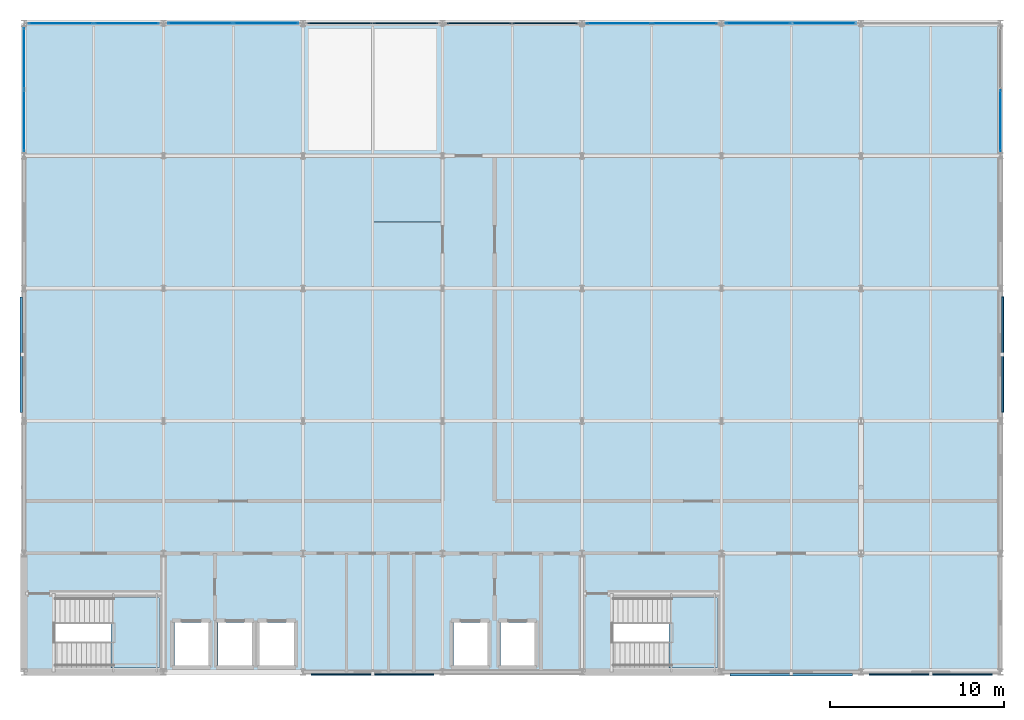
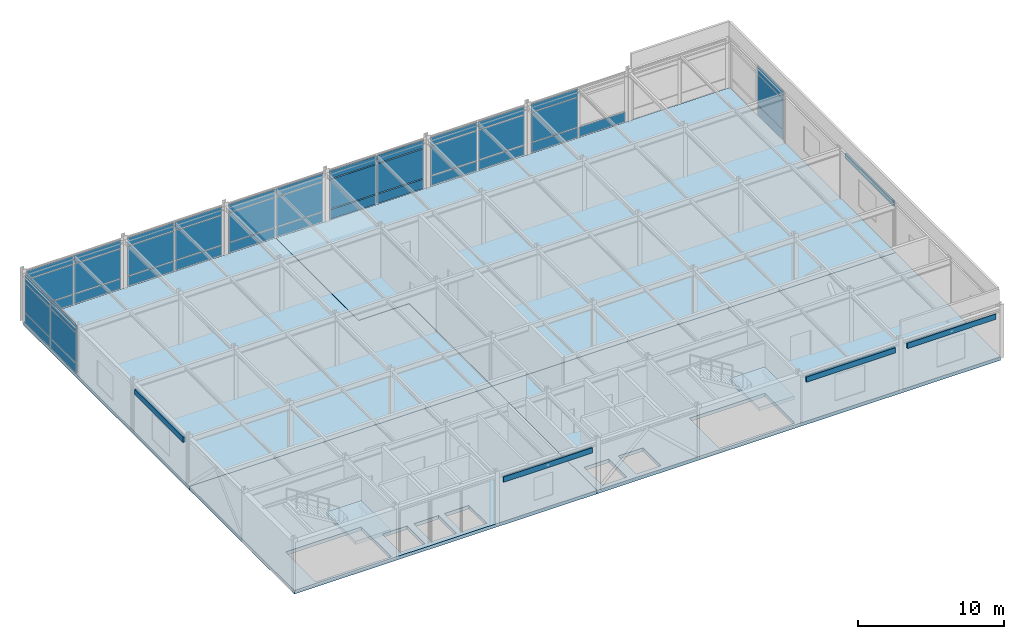
# One storey, part 12 of 16: 48 plates, 6 slabs, 10 elements without a shape of their own.
"""IFC4 building model written with IfcOpenShell, lengths in metres."""

from ifc_helpers import new_model, si_unit, direction, frame, origin, origin_2d, place, context, subcontext, project, spatial, polyline, rectangle, outline, extrude, material, layer, layer_set, type_object, element, aggregate, save


model = new_model("IFC4")

# Units and contexts
model_context = context("Model", 3, precision=1e-05, world=origin(), true_north=direction((0.0, 1.0)))
body_context = subcontext(model_context, "Body", "Model", "MODEL_VIEW")
ifc_project = project(units=[si_unit("LENGTHUNIT", "METRE"), si_unit("AREAUNIT", "SQUARE_METRE"), si_unit("VOLUMEUNIT", "CUBIC_METRE"), si_unit("PLANEANGLEUNIT", "RADIAN"), si_unit("MASSUNIT", "GRAM", prefix="KILO")], contexts=[model_context])

# Site, building, storey
site_placement = place(None, origin())
site = spatial("IfcSite", under=ifc_project, at=site_placement, CompositionType="ELEMENT")
building_placement = place(site_placement, origin())
building = spatial("IfcBuilding", under=site, at=building_placement, Name="Shalkamar Park Central Library", CompositionType="ELEMENT")
storey_placement = place(building_placement, frame((0.0, 0.0, 51.60009765625)))
storey = spatial("IfcBuildingStorey", under=building, at=storey_placement, Name="L13", CompositionType="ELEMENT", Elevation=51.60009765625)

# Plates
ifc_material_1 = material(Name="Anodized bronze architectural frieze plate", Category="aluminium")
ifc_layer_1 = layer(ifc_material_1, 0.110107421875)
ifc_layer_set_1 = layer_set([ifc_layer_1], Name="BronzeSpandrelFriezePlate_110")
plate_type_1 = type_object("IfcPlateType", Name="Bronze Spandrel Frieze Plate 110", PredefinedType="USERDEFINED", material=ifc_layer_set_1)
for number, where, z_axis, x_axis, name in (
    (1, (185.0, 248.260009765625, 3.41796875), (0.0, 0.0, 1.0), (1.0, 0.0, 0.0), "Bronze Spandrel Frieze Plate L13-049"),
    (2, (217.0, 248.260009765625, 3.41796875), (0.0, 0.0, 1.0), (1.0, 0.0, 0.0), "Bronze Spandrel Frieze Plate L13-051"),
):
    element("IfcPlate", number, at=place(storey_placement, frame(where, z_axis=z_axis, x_axis=x_axis)), inside=storey, type_object=plate_type_1, Name=name, ObjectType="CLADDING", PredefinedType="USERDEFINED", context=body_context, shape_type="SweptSolid", body=[
        extrude(rectangle(XDim=7.028076171875, YDim=0.110107421875, at=origin_2d()), origin(), (0.0, 0.0, 1.0), 0.449951171875),
    ])
plate_1_placement = place(storey_placement, frame((221.139892578125, 266.60009765625, 3.52783203125), z_axis=(0.0, 0.0, 1.0), x_axis=(1.0, 0.0, 0.0)))
element("IfcPlate", 3, at=plate_1_placement, inside=storey, type_object=plate_type_1, Name="Bronze Spandrel Frieze Plate L13-053", ObjectType="CLADDING", PredefinedType="USERDEFINED", context=body_context, shape_type="SweptSolid", body=[
    extrude(rectangle(XDim=0.110107421875, YDim=6.6279296875, at=origin_2d()), origin(), (0.0, 0.0, 1.0), 0.449951171875),
])
ifc_material_2 = material(Name="Anodized bronze stepped frieze plate", Category="aluminium")
ifc_layer_2 = layer(ifc_material_2, 0.139892578125)
ifc_layer_set_2 = layer_set([ifc_layer_2], Name="PostmodernKeystoneFriezePlate_140")
plate_type_2 = type_object("IfcPlateType", Name="Postmodern Keystone Frieze Plate 140", PredefinedType="USERDEFINED", material=ifc_layer_set_2)
plate_2_placement = place(storey_placement, frame((209.0, 248.2451171875, 3.41796875), z_axis=(0.0, 0.0, 1.0), x_axis=(1.0, 0.0, 0.0)))
element("IfcPlate", 4, at=plate_2_placement, inside=storey, type_object=plate_type_2, Name="Bronze Spandrel Frieze Plate L13-050", ObjectType="CLADDING", PredefinedType="USERDEFINED", context=body_context, shape_type="SweptSolid", body=[
    extrude(rectangle(XDim=7.028076171875, YDim=0.139892578125, at=origin_2d()), origin(), (0.0, 0.0, 1.0), 0.449951171875),
])
plate_3_placement = place(storey_placement, frame((164.844970703125, 266.60009765625, 3.4580078125), z_axis=(0.0, 0.0, 1.0), x_axis=(1.0, 0.0, 0.0)))
element("IfcPlate", 5, at=plate_3_placement, inside=storey, type_object=plate_type_2, Name="Bronze Spandrel Frieze Plate L13-052", ObjectType="CLADDING", PredefinedType="USERDEFINED", context=body_context, shape_type="SweptSolid", body=[
    extrude(rectangle(XDim=0.139892578125, YDim=6.6279296875, at=origin_2d()), origin(), (0.0, 0.0, 1.0), 0.449951171875),
])

# Curtain wall, plates
ifc_material_3 = material(Name="Thermally broken aluminium and triple low-e curtain wall", Category="aluminium")
ifc_layer_3 = layer(ifc_material_3, 0.260009765625)
ifc_layer_set_3 = layer_set([ifc_layer_3], Name="UnitisedCurtainWall_89")
curtain_wall_type_1 = type_object("IfcCurtainWallType", Name="Unitised Curtain Wall 89", PredefinedType="USERDEFINED", material=ifc_layer_set_3)
curtain_wall_1_placement = place(storey_placement, origin())
curtain_wall_1 = element("IfcCurtainWall", 6, at=curtain_wall_1_placement, inside=storey, type_object=curtain_wall_type_1, Name="Unitised Curtain Wall CW-L13-142", ObjectType="UNITISED CURTAIN WALL", PredefinedType="USERDEFINED")
ifc_material_4 = material(Name="Triple-glazed solar-control glass", Category="glass")
ifc_layer_4 = layer(ifc_material_4, 0.031982421875)
ifc_layer_set_4 = layer_set([ifc_layer_4], Name="SolarControlVisionPanel_32")
plate_type_3 = type_object("IfcPlateType", Name="Solar Control Vision Panel 32", PredefinedType="CURTAIN_PANEL", material=ifc_layer_set_4)
plate_4_placement = place(storey_placement, frame((167.1171875, 285.60009765625, 0.059814453125), z_axis=(0.0, 0.0, 1.0), x_axis=(1.0, 0.0, 0.0)))
plate_4 = element("IfcPlate", 7, at=plate_4_placement, type_object=plate_type_3, Name="CW-89 panel 1.1", PredefinedType="CURTAIN_PANEL", context=body_context, shape_type="SweptSolid", body=[
    extrude(rectangle(XDim=3.699462890625, YDim=0.031982421875, at=origin_2d()), origin(), (0.0, 0.0, 1.0), 0.81005859375),
])
plate_5_placement = place(storey_placement, frame((167.1171875, 285.60009765625, 0.9296875), z_axis=(0.0, 0.0, 1.0), x_axis=(1.0, 0.0, 0.0)))
plate_5 = element("IfcPlate", 8, at=plate_5_placement, type_object=plate_type_3, Name="CW-89 panel 1.2", PredefinedType="CURTAIN_PANEL", context=body_context, shape_type="SweptSolid", body=[
    extrude(rectangle(XDim=3.699462890625, YDim=0.031982421875, at=origin_2d()), origin(), (0.0, 0.0, 1.0), 2.469970703125),
])
plate_6_placement = place(storey_placement, frame((167.1171875, 285.60009765625, 3.4599609375), z_axis=(0.0, 0.0, 1.0), x_axis=(1.0, 0.0, 0.0)))
plate_6 = element("IfcPlate", 9, at=plate_6_placement, type_object=plate_type_3, Name="CW-89 panel 1.3", PredefinedType="CURTAIN_PANEL", context=body_context, shape_type="SweptSolid", body=[
    extrude(rectangle(XDim=3.699462890625, YDim=0.031982421875, at=origin_2d()), origin(), (0.0, 0.0, 1.0), 0.659912109375),
])
plate_7_placement = place(storey_placement, frame((170.891845703125, 285.60009765625, 0.059814453125), z_axis=(0.0, 0.0, 1.0), x_axis=(1.0, 0.0, 0.0)))
plate_7 = element("IfcPlate", 10, at=plate_7_placement, type_object=plate_type_3, Name="CW-89 panel 2.1", PredefinedType="CURTAIN_PANEL", context=body_context, shape_type="SweptSolid", body=[
    extrude(rectangle(XDim=3.699462890625, YDim=0.031982421875, at=origin_2d()), origin(), (0.0, 0.0, 1.0), 0.81005859375),
])
plate_8_placement = place(storey_placement, frame((170.891845703125, 285.60009765625, 0.9296875), z_axis=(0.0, 0.0, 1.0), x_axis=(1.0, 0.0, 0.0)))
plate_8 = element("IfcPlate", 11, at=plate_8_placement, type_object=plate_type_3, Name="CW-89 panel 2.2", PredefinedType="CURTAIN_PANEL", context=body_context, shape_type="SweptSolid", body=[
    extrude(rectangle(XDim=3.699462890625, YDim=0.031982421875, at=origin_2d()), origin(), (0.0, 0.0, 1.0), 2.469970703125),
])
plate_9_placement = place(storey_placement, frame((170.891845703125, 285.60009765625, 3.4599609375), z_axis=(0.0, 0.0, 1.0), x_axis=(1.0, 0.0, 0.0)))
plate_9 = element("IfcPlate", 12, at=plate_9_placement, type_object=plate_type_3, Name="CW-89 panel 2.3", PredefinedType="CURTAIN_PANEL", context=body_context, shape_type="SweptSolid", body=[
    extrude(rectangle(XDim=3.699462890625, YDim=0.031982421875, at=origin_2d()), origin(), (0.0, 0.0, 1.0), 0.659912109375),
])
aggregate(curtain_wall_1, [plate_4, plate_5, plate_6, plate_7, plate_8, plate_9])

ifc_layer_5 = layer(ifc_material_3, 0.280029296875)
ifc_layer_set_5 = layer_set([ifc_layer_5], Name="UnitisedCurtainWall_93")
curtain_wall_type_2 = type_object("IfcCurtainWallType", Name="Unitised Curtain Wall 93", PredefinedType="USERDEFINED", material=ifc_layer_set_5)
curtain_wall_2_placement = place(storey_placement, origin())
curtain_wall_2 = element("IfcCurtainWall", 13, at=curtain_wall_2_placement, inside=storey, type_object=curtain_wall_type_2, Name="Unitised Curtain Wall CW-L13-146", ObjectType="UNITISED CURTAIN WALL", PredefinedType="USERDEFINED")
plate_10_placement = place(storey_placement, frame((199.12109375, 285.60009765625, 0.06982421875), z_axis=(0.0, 0.0, 1.0), x_axis=(1.0, 0.0, 0.0)))
plate_10 = element("IfcPlate", 14, at=plate_10_placement, type_object=plate_type_3, Name="CW-93 panel 1.1", PredefinedType="CURTAIN_PANEL", context=body_context, shape_type="SweptSolid", body=[
    extrude(rectangle(XDim=3.677001953125, YDim=0.031982421875, at=origin_2d()), origin(), (0.0, 0.0, 1.0), 0.794921875),
])
plate_11_placement = place(storey_placement, frame((199.12109375, 285.60009765625, 0.934814453125), z_axis=(0.0, 0.0, 1.0), x_axis=(1.0, 0.0, 0.0)))
plate_11 = element("IfcPlate", 15, at=plate_11_placement, type_object=plate_type_3, Name="CW-93 panel 1.2", PredefinedType="CURTAIN_PANEL", context=body_context, shape_type="SweptSolid", body=[
    extrude(rectangle(XDim=3.677001953125, YDim=0.031982421875, at=origin_2d()), origin(), (0.0, 0.0, 1.0), 2.4599609375),
])
plate_12_placement = place(storey_placement, frame((199.12109375, 285.60009765625, 3.46484375), z_axis=(0.0, 0.0, 1.0), x_axis=(1.0, 0.0, 0.0)))
plate_12 = element("IfcPlate", 16, at=plate_12_placement, type_object=plate_type_3, Name="CW-93 panel 1.3", PredefinedType="CURTAIN_PANEL", context=body_context, shape_type="SweptSolid", body=[
    extrude(rectangle(XDim=3.677001953125, YDim=0.031982421875, at=origin_2d()), origin(), (0.0, 0.0, 1.0), 0.64501953125),
])
plate_13_placement = place(storey_placement, frame((202.887939453125, 285.60009765625, 0.06982421875), z_axis=(0.0, 0.0, 1.0), x_axis=(1.0, 0.0, 0.0)))
plate_13 = element("IfcPlate", 17, at=plate_13_placement, type_object=plate_type_3, Name="CW-93 panel 2.1", PredefinedType="CURTAIN_PANEL", context=body_context, shape_type="SweptSolid", body=[
    extrude(rectangle(XDim=3.677001953125, YDim=0.031982421875, at=origin_2d()), origin(), (0.0, 0.0, 1.0), 0.794921875),
])
plate_14_placement = place(storey_placement, frame((202.887939453125, 285.60009765625, 0.934814453125), z_axis=(0.0, 0.0, 1.0), x_axis=(1.0, 0.0, 0.0)))
plate_14 = element("IfcPlate", 18, at=plate_14_placement, type_object=plate_type_3, Name="CW-93 panel 2.2", PredefinedType="CURTAIN_PANEL", context=body_context, shape_type="SweptSolid", body=[
    extrude(rectangle(XDim=3.677001953125, YDim=0.031982421875, at=origin_2d()), origin(), (0.0, 0.0, 1.0), 2.4599609375),
])
plate_15_placement = place(storey_placement, frame((202.887939453125, 285.60009765625, 3.46484375), z_axis=(0.0, 0.0, 1.0), x_axis=(1.0, 0.0, 0.0)))
plate_15 = element("IfcPlate", 19, at=plate_15_placement, type_object=plate_type_3, Name="CW-93 panel 2.3", PredefinedType="CURTAIN_PANEL", context=body_context, shape_type="SweptSolid", body=[
    extrude(rectangle(XDim=3.677001953125, YDim=0.031982421875, at=origin_2d()), origin(), (0.0, 0.0, 1.0), 0.64501953125),
])
aggregate(curtain_wall_2, [plate_10, plate_11, plate_12, plate_13, plate_14, plate_15])

ifc_layer_6 = layer(ifc_material_3, 0.264892578125)
ifc_layer_set_6 = layer_set([ifc_layer_6], Name="UnitisedCurtainWall_92")
curtain_wall_type_3 = type_object("IfcCurtainWallType", Name="Unitised Curtain Wall 92", PredefinedType="USERDEFINED", material=ifc_layer_set_6)
curtain_wall_3_placement = place(storey_placement, origin())
curtain_wall_3 = element("IfcCurtainWall", 20, at=curtain_wall_3_placement, inside=storey, type_object=curtain_wall_type_3, Name="Unitised Curtain Wall CW-L13-145", ObjectType="UNITISED CURTAIN WALL", PredefinedType="USERDEFINED")
ifc_material_5 = material(Name="Insulated aluminium spandrel panel", Category="aluminium")
ifc_layer_7 = layer(ifc_material_5, 0.080078125)
ifc_layer_set_7 = layer_set([ifc_layer_7], Name="SpandrelShadowboxPanel_80")
plate_type_4 = type_object("IfcPlateType", Name="Spandrel Shadowbox Panel 80", PredefinedType="CURTAIN_PANEL", material=ifc_layer_set_7)
plate_16_placement = place(storey_placement, frame((191.11083984375, 285.60009765625, 0.06982421875), z_axis=(0.0, 0.0, 1.0), x_axis=(1.0, 0.0, 0.0)))
plate_16 = element("IfcPlate", 21, at=plate_16_placement, type_object=plate_type_4, Name="CW-92 panel 1.1", PredefinedType="CURTAIN_PANEL", context=body_context, shape_type="SweptSolid", body=[
    extrude(rectangle(XDim=3.6845703125, YDim=0.080078125, at=origin_2d()), origin(), (0.0, 0.0, 1.0), 0.794921875),
])
plate_17_placement = place(storey_placement, frame((191.11083984375, 285.60009765625, 0.934814453125), z_axis=(0.0, 0.0, 1.0), x_axis=(1.0, 0.0, 0.0)))
plate_17 = element("IfcPlate", 22, at=plate_17_placement, type_object=plate_type_4, Name="CW-92 panel 1.2", PredefinedType="CURTAIN_PANEL", context=body_context, shape_type="SweptSolid", body=[
    extrude(rectangle(XDim=3.6845703125, YDim=0.080078125, at=origin_2d()), origin(), (0.0, 0.0, 1.0), 2.4599609375),
])
plate_18_placement = place(storey_placement, frame((191.11083984375, 285.60009765625, 3.46484375), z_axis=(0.0, 0.0, 1.0), x_axis=(1.0, 0.0, 0.0)))
plate_18 = element("IfcPlate", 23, at=plate_18_placement, type_object=plate_type_4, Name="CW-92 panel 1.3", PredefinedType="CURTAIN_PANEL", context=body_context, shape_type="SweptSolid", body=[
    extrude(rectangle(XDim=3.6845703125, YDim=0.080078125, at=origin_2d()), origin(), (0.0, 0.0, 1.0), 0.64501953125),
])
plate_19_placement = place(storey_placement, frame((194.88037109375, 285.60009765625, 0.06982421875), z_axis=(0.0, 0.0, 1.0), x_axis=(1.0, 0.0, 0.0)))
plate_19 = element("IfcPlate", 24, at=plate_19_placement, type_object=plate_type_4, Name="CW-92 panel 2.1", PredefinedType="CURTAIN_PANEL", context=body_context, shape_type="SweptSolid", body=[
    extrude(rectangle(XDim=3.6845703125, YDim=0.080078125, at=origin_2d()), origin(), (0.0, 0.0, 1.0), 0.794921875),
])
plate_20_placement = place(storey_placement, frame((194.88037109375, 285.60009765625, 0.934814453125), z_axis=(0.0, 0.0, 1.0), x_axis=(1.0, 0.0, 0.0)))
plate_20 = element("IfcPlate", 25, at=plate_20_placement, type_object=plate_type_4, Name="CW-92 panel 2.2", PredefinedType="CURTAIN_PANEL", context=body_context, shape_type="SweptSolid", body=[
    extrude(rectangle(XDim=3.6845703125, YDim=0.080078125, at=origin_2d()), origin(), (0.0, 0.0, 1.0), 2.4599609375),
])
plate_21_placement = place(storey_placement, frame((194.88037109375, 285.60009765625, 3.46484375), z_axis=(0.0, 0.0, 1.0), x_axis=(1.0, 0.0, 0.0)))
plate_21 = element("IfcPlate", 26, at=plate_21_placement, type_object=plate_type_4, Name="CW-92 panel 2.3", PredefinedType="CURTAIN_PANEL", context=body_context, shape_type="SweptSolid", body=[
    extrude(rectangle(XDim=3.6845703125, YDim=0.080078125, at=origin_2d()), origin(), (0.0, 0.0, 1.0), 0.64501953125),
])
aggregate(curtain_wall_3, [plate_16, plate_17, plate_18, plate_19, plate_20, plate_21])

# Stair, slab
ifc_material_6 = material(Name="Concrete C35/45", Category="concrete")
stair_type = type_object("IfcStairType", Name="Protected Dog Leg Stair 150x450", PredefinedType="TWO_STRAIGHT_RUN_STAIR", material=ifc_material_6)
stair_1_placement = place(storey_placement, origin())
stair_1 = element("IfcStair", 27, at=stair_1_placement, inside=storey, type_object=stair_type, Name="Protected Core Stair ST-T1-L13", PredefinedType="TWO_STRAIGHT_RUN_STAIR")
ifc_layer_8 = layer(ifc_material_6, 0.280029296875)
ifc_layer_set_8 = layer_set([ifc_layer_8], Name="Concrete C35/45")
slab_type_1 = type_object("IfcSlabType", Name="Stair Landing Slab 160", PredefinedType="LANDING", material=ifc_layer_set_8)
slab_1_placement = place(storey_placement, frame((0.0, 0.0, 1.969970703125)))
slab_1 = element("IfcSlab", 28, at=slab_1_placement, type_object=slab_type_1, Name="ST-T1-L13 landing 1", PredefinedType="LANDING", context=body_context, shape_type="SweptSolid", body=[
    extrude(outline(polyline([(169.97998046875, 248.6201171875), (172.780029296875, 248.6201171875), (172.780029296875, 252.679931640625), (169.97998046875, 252.679931640625), (169.97998046875, 248.6201171875)])), origin(), (0.0, 0.0, 1.0), 0.280029296875),
])
aggregate(stair_1, [slab_1])

stair_2_placement = place(storey_placement, origin())
stair_2 = element("IfcStair", 29, at=stair_2_placement, inside=storey, type_object=stair_type, Name="Protected Core Stair ST-T2-L13", PredefinedType="TWO_STRAIGHT_RUN_STAIR")
slab_2_placement = place(storey_placement, frame((0.0, 0.0, 1.969970703125)))
slab_2 = element("IfcSlab", 30, at=slab_2_placement, type_object=slab_type_1, Name="ST-T2-L13 landing 1", PredefinedType="LANDING", context=body_context, shape_type="SweptSolid", body=[
    extrude(outline(polyline([(201.97998046875, 248.6201171875), (204.780029296875, 248.6201171875), (204.780029296875, 252.679931640625), (201.97998046875, 252.679931640625), (201.97998046875, 248.6201171875)])), origin(), (0.0, 0.0, 1.0), 0.280029296875),
])
aggregate(stair_2, [slab_2])

# Slabs
ifc_layer_9 = layer(ifc_material_6, 0.2900390625)
ifc_layer_set_9 = layer_set([ifc_layer_9], Name="Concrete C35/45")
slab_type_2 = type_object("IfcSlabType", Name="Suspended Floor Slab 290", PredefinedType="FLOOR", material=ifc_layer_set_9)
slab_3_placement = place(storey_placement, frame((0.0, 0.0, -0.2900390625)))
element("IfcSlab", 31, at=slab_3_placement, inside=storey, type_object=slab_type_2, Name="Level L13 Composite Floor Slab NW", PredefinedType="FLOOR", context=body_context, shape_type="SweptSolid", body=[
    extrude(outline(polyline([(165.0, 262.800048828125), (188.989990234375, 262.800048828125), (188.989990234375, 274.18994140625), (184.989990234375, 274.18994140625), (184.989990234375, 285.60009765625), (165.0, 285.60009765625), (165.0, 262.800048828125)])), origin(), (0.0, 0.0, 1.0), 0.2900390625),
])
slab_4_placement = place(storey_placement, frame((0.0, 0.0, -0.2900390625)))
element("IfcSlab", 32, at=slab_4_placement, inside=storey, type_object=slab_type_2, Name="Level L13 Composite Floor Slab NE", PredefinedType="FLOOR", context=body_context, shape_type="SweptSolid", body=[
    extrude(outline(polyline([(189.010009765625, 262.800048828125), (221.0, 262.800048828125), (221.0, 285.60009765625), (185.010009765625, 285.60009765625), (185.010009765625, 274.2099609375), (189.010009765625, 274.2099609375), (189.010009765625, 262.800048828125)])), origin(), (0.0, 0.0, 1.0), 0.2900390625),
])
slab_5_placement = place(storey_placement, frame((0.0, 0.0, -0.2900390625)))
element("IfcSlab", 33, at=slab_5_placement, inside=storey, type_object=slab_type_2, Name="Level L13 Composite Floor Slab SW", PredefinedType="FLOOR", context=body_context, shape_type="SweptSolid", body=[
    extrude(outline(polyline([(165.0, 248.39990234375), (165.0, 262.800048828125), (189.0, 262.800048828125), (189.0, 248.39990234375), (165.0, 248.39990234375)]), holes=[polyline([(173.6201171875, 248.77001953125), (175.580078125, 248.77001953125), (175.580078125, 251.22998046875), (173.6201171875, 251.22998046875), (173.6201171875, 248.77001953125)]), polyline([(176.1201171875, 251.22998046875), (176.1201171875, 248.77001953125), (178.080078125, 248.77001953125), (178.080078125, 251.22998046875), (176.1201171875, 251.22998046875)]), polyline([(178.52001953125, 251.22998046875), (178.52001953125, 248.77001953125), (180.47998046875, 248.77001953125), (180.47998046875, 251.22998046875), (178.52001953125, 251.22998046875)]), polyline([(166.800048828125, 252.699951171875), (166.800048828125, 248.60009765625), (172.800048828125, 248.60009765625), (172.800048828125, 252.699951171875), (166.800048828125, 252.699951171875)])]), origin(), (0.0, 0.0, 1.0), 0.2900390625),
])
slab_6_placement = place(storey_placement, frame((0.0, 0.0, -0.2900390625)))
element("IfcSlab", 34, at=slab_6_placement, inside=storey, type_object=slab_type_2, Name="Level L13 Composite Floor Slab SE", PredefinedType="FLOOR", context=body_context, shape_type="SweptSolid", body=[
    extrude(outline(polyline([(189.0, 248.39990234375), (189.0, 262.800048828125), (221.0, 262.800048828125), (221.0, 248.39990234375), (189.0, 248.39990234375)]), holes=[polyline([(189.6201171875, 251.22998046875), (189.6201171875, 248.77001953125), (191.580078125, 248.77001953125), (191.580078125, 251.22998046875), (189.6201171875, 251.22998046875)]), polyline([(192.320068359375, 251.22998046875), (192.320068359375, 248.77001953125), (194.280029296875, 248.77001953125), (194.280029296875, 251.22998046875), (192.320068359375, 251.22998046875)]), polyline([(198.800048828125, 252.699951171875), (198.800048828125, 248.60009765625), (204.800048828125, 248.60009765625), (204.800048828125, 252.699951171875), (198.800048828125, 252.699951171875)])]), origin(), (0.0, 0.0, 1.0), 0.2900390625),
])

# Curtain wall, plates
ifc_layer_10 = layer(ifc_material_3, 0.27001953125)
ifc_layer_set_10 = layer_set([ifc_layer_10], Name="UnitisedCurtainWall_91")
curtain_wall_type_4 = type_object("IfcCurtainWallType", Name="Unitised Curtain Wall 91", PredefinedType="USERDEFINED", material=ifc_layer_set_10)
curtain_wall_4_placement = place(storey_placement, origin())
curtain_wall_4 = element("IfcCurtainWall", 35, at=curtain_wall_4_placement, inside=storey, type_object=curtain_wall_type_4, Name="Unitised Curtain Wall CW-L13-144", ObjectType="UNITISED CURTAIN WALL", PredefinedType="USERDEFINED")
ifc_material_7 = material(Name="Triple-glazed laminated glass", Category="glass")
ifc_layer_11 = layer(ifc_material_7, 0.06005859375)
ifc_layer_set_11 = layer_set([ifc_layer_11], Name="TripleGlazedPodiumPanel_60")
plate_type_5 = type_object("IfcPlateType", Name="Triple Glazed Podium Panel 60", PredefinedType="CURTAIN_PANEL", material=ifc_layer_set_11)
plate_22_placement = place(storey_placement, frame((183.118408203125, 285.60009765625, 0.06494140625), z_axis=(0.0, 0.0, 1.0), x_axis=(1.0, 0.0, 0.0)))
plate_22 = element("IfcPlate", 36, at=plate_22_placement, type_object=plate_type_5, Name="CW-91 panel 1.1", PredefinedType="CURTAIN_PANEL", context=body_context, shape_type="SweptSolid", body=[
    extrude(rectangle(XDim=3.69189453125, YDim=0.06005859375, at=origin_2d()), origin(), (0.0, 0.0, 1.0), 0.802490234375),
])
plate_23_placement = place(storey_placement, frame((183.118408203125, 285.60009765625, 0.93212890625), z_axis=(0.0, 0.0, 1.0), x_axis=(1.0, 0.0, 0.0)))
plate_23 = element("IfcPlate", 37, at=plate_23_placement, type_object=plate_type_5, Name="CW-91 panel 1.2", PredefinedType="CURTAIN_PANEL", context=body_context, shape_type="SweptSolid", body=[
    extrude(rectangle(XDim=3.69189453125, YDim=0.06005859375, at=origin_2d()), origin(), (0.0, 0.0, 1.0), 2.465087890625),
])
plate_24_placement = place(storey_placement, frame((183.118408203125, 285.60009765625, 3.46240234375), z_axis=(0.0, 0.0, 1.0), x_axis=(1.0, 0.0, 0.0)))
plate_24 = element("IfcPlate", 38, at=plate_24_placement, type_object=plate_type_5, Name="CW-91 panel 1.3", PredefinedType="CURTAIN_PANEL", context=body_context, shape_type="SweptSolid", body=[
    extrude(rectangle(XDim=3.69189453125, YDim=0.06005859375, at=origin_2d()), origin(), (0.0, 0.0, 1.0), 0.652587890625),
])
plate_25_placement = place(storey_placement, frame((186.890380859375, 285.60009765625, 0.06494140625), z_axis=(0.0, 0.0, 1.0), x_axis=(1.0, 0.0, 0.0)))
plate_25 = element("IfcPlate", 39, at=plate_25_placement, type_object=plate_type_5, Name="CW-91 panel 2.1", PredefinedType="CURTAIN_PANEL", context=body_context, shape_type="SweptSolid", body=[
    extrude(rectangle(XDim=3.69189453125, YDim=0.06005859375, at=origin_2d()), origin(), (0.0, 0.0, 1.0), 0.802490234375),
])
plate_26_placement = place(storey_placement, frame((186.890380859375, 285.60009765625, 0.93212890625), z_axis=(0.0, 0.0, 1.0), x_axis=(1.0, 0.0, 0.0)))
plate_26 = element("IfcPlate", 40, at=plate_26_placement, type_object=plate_type_5, Name="CW-91 panel 2.2", PredefinedType="CURTAIN_PANEL", context=body_context, shape_type="SweptSolid", body=[
    extrude(rectangle(XDim=3.69189453125, YDim=0.06005859375, at=origin_2d()), origin(), (0.0, 0.0, 1.0), 2.465087890625),
])
plate_27_placement = place(storey_placement, frame((186.890380859375, 285.60009765625, 3.46240234375), z_axis=(0.0, 0.0, 1.0), x_axis=(1.0, 0.0, 0.0)))
plate_27 = element("IfcPlate", 41, at=plate_27_placement, type_object=plate_type_5, Name="CW-91 panel 2.3", PredefinedType="CURTAIN_PANEL", context=body_context, shape_type="SweptSolid", body=[
    extrude(rectangle(XDim=3.69189453125, YDim=0.06005859375, at=origin_2d()), origin(), (0.0, 0.0, 1.0), 0.652587890625),
])
aggregate(curtain_wall_4, [plate_22, plate_23, plate_24, plate_25, plate_26, plate_27])

ifc_layer_12 = layer(ifc_material_3, 0.2548828125)
ifc_layer_set_12 = layer_set([ifc_layer_12], Name="UnitisedCurtainWall_90")
curtain_wall_type_5 = type_object("IfcCurtainWallType", Name="Unitised Curtain Wall 90", PredefinedType="USERDEFINED", material=ifc_layer_set_12)
curtain_wall_5_placement = place(storey_placement, origin())
curtain_wall_5 = element("IfcCurtainWall", 42, at=curtain_wall_5_placement, inside=storey, type_object=curtain_wall_type_5, Name="Unitised Curtain Wall CW-L13-143", ObjectType="UNITISED CURTAIN WALL", PredefinedType="USERDEFINED")
ifc_material_8 = material(Name="Triple-glazed low-e safety glass", Category="glass")
ifc_layer_13 = layer(ifc_material_8, 0.0439453125)
ifc_layer_set_13 = layer_set([ifc_layer_13], Name="TripleGlazedVisionPanel_44")
plate_type_6 = type_object("IfcPlateType", Name="Triple Glazed Vision Panel 44", PredefinedType="CURTAIN_PANEL", material=ifc_layer_set_13)
plate_28_placement = place(storey_placement, frame((175.109619140625, 285.60009765625, 0.06494140625), z_axis=(0.0, 0.0, 1.0), x_axis=(1.0, 0.0, 0.0)))
plate_28 = element("IfcPlate", 43, at=plate_28_placement, type_object=plate_type_6, Name="CW-90 panel 1.1", PredefinedType="CURTAIN_PANEL", context=body_context, shape_type="SweptSolid", body=[
    extrude(rectangle(XDim=3.69189453125, YDim=0.0439453125, at=origin_2d()), origin(), (0.0, 0.0, 1.0), 0.802490234375),
])
plate_29_placement = place(storey_placement, frame((175.109619140625, 285.60009765625, 0.93212890625), z_axis=(0.0, 0.0, 1.0), x_axis=(1.0, 0.0, 0.0)))
plate_29 = element("IfcPlate", 44, at=plate_29_placement, type_object=plate_type_6, Name="CW-90 panel 1.2", PredefinedType="CURTAIN_PANEL", context=body_context, shape_type="SweptSolid", body=[
    extrude(rectangle(XDim=3.69189453125, YDim=0.0439453125, at=origin_2d()), origin(), (0.0, 0.0, 1.0), 2.465087890625),
])
plate_30_placement = place(storey_placement, frame((175.109619140625, 285.60009765625, 3.46240234375), z_axis=(0.0, 0.0, 1.0), x_axis=(1.0, 0.0, 0.0)))
plate_30 = element("IfcPlate", 45, at=plate_30_placement, type_object=plate_type_6, Name="CW-90 panel 1.3", PredefinedType="CURTAIN_PANEL", context=body_context, shape_type="SweptSolid", body=[
    extrude(rectangle(XDim=3.69189453125, YDim=0.0439453125, at=origin_2d()), origin(), (0.0, 0.0, 1.0), 0.652587890625),
])
plate_31_placement = place(storey_placement, frame((178.881591796875, 285.60009765625, 0.06494140625), z_axis=(0.0, 0.0, 1.0), x_axis=(1.0, 0.0, 0.0)))
plate_31 = element("IfcPlate", 46, at=plate_31_placement, type_object=plate_type_6, Name="CW-90 panel 2.1", PredefinedType="CURTAIN_PANEL", context=body_context, shape_type="SweptSolid", body=[
    extrude(rectangle(XDim=3.69189453125, YDim=0.0439453125, at=origin_2d()), origin(), (0.0, 0.0, 1.0), 0.802490234375),
])
plate_32_placement = place(storey_placement, frame((178.881591796875, 285.60009765625, 0.93212890625), z_axis=(0.0, 0.0, 1.0), x_axis=(1.0, 0.0, 0.0)))
plate_32 = element("IfcPlate", 47, at=plate_32_placement, type_object=plate_type_6, Name="CW-90 panel 2.2", PredefinedType="CURTAIN_PANEL", context=body_context, shape_type="SweptSolid", body=[
    extrude(rectangle(XDim=3.69189453125, YDim=0.0439453125, at=origin_2d()), origin(), (0.0, 0.0, 1.0), 2.465087890625),
])
plate_33_placement = place(storey_placement, frame((178.881591796875, 285.60009765625, 3.46240234375), z_axis=(0.0, 0.0, 1.0), x_axis=(1.0, 0.0, 0.0)))
plate_33 = element("IfcPlate", 48, at=plate_33_placement, type_object=plate_type_6, Name="CW-90 panel 2.3", PredefinedType="CURTAIN_PANEL", context=body_context, shape_type="SweptSolid", body=[
    extrude(rectangle(XDim=3.69189453125, YDim=0.0439453125, at=origin_2d()), origin(), (0.0, 0.0, 1.0), 0.652587890625),
])
aggregate(curtain_wall_5, [plate_28, plate_29, plate_30, plate_31, plate_32, plate_33])

ifc_layer_14 = layer(ifc_material_3, 0.25)
ifc_layer_set_14 = layer_set([ifc_layer_14], Name="UnitisedCurtainWall_94")
curtain_wall_type_6 = type_object("IfcCurtainWallType", Name="Unitised Curtain Wall 94", PredefinedType="USERDEFINED", material=ifc_layer_set_14)
curtain_wall_6_placement = place(storey_placement, origin())
curtain_wall_6 = element("IfcCurtainWall", 49, at=curtain_wall_6_placement, inside=storey, type_object=curtain_wall_type_6, Name="Unitised Curtain Wall CW-L13-147", ObjectType="UNITISED CURTAIN WALL", PredefinedType="USERDEFINED")
plate_34_placement = place(storey_placement, frame((207.108154296875, 285.60009765625, 0.059814453125), z_axis=(0.0, 0.0, 1.0), x_axis=(1.0, 0.0, 0.0)))
plate_34 = element("IfcPlate", 50, at=plate_34_placement, type_object=plate_type_6, Name="CW-94 panel 1.1", PredefinedType="CURTAIN_PANEL", context=body_context, shape_type="SweptSolid", body=[
    extrude(rectangle(XDim=3.699462890625, YDim=0.0439453125, at=origin_2d()), origin(), (0.0, 0.0, 1.0), 0.81005859375),
])
plate_35_placement = place(storey_placement, frame((207.108154296875, 285.60009765625, 0.9296875), z_axis=(0.0, 0.0, 1.0), x_axis=(1.0, 0.0, 0.0)))
plate_35 = element("IfcPlate", 51, at=plate_35_placement, type_object=plate_type_6, Name="CW-94 panel 1.2", PredefinedType="CURTAIN_PANEL", context=body_context, shape_type="SweptSolid", body=[
    extrude(rectangle(XDim=3.699462890625, YDim=0.0439453125, at=origin_2d()), origin(), (0.0, 0.0, 1.0), 2.469970703125),
])
plate_36_placement = place(storey_placement, frame((207.108154296875, 285.60009765625, 3.4599609375), z_axis=(0.0, 0.0, 1.0), x_axis=(1.0, 0.0, 0.0)))
plate_36 = element("IfcPlate", 52, at=plate_36_placement, type_object=plate_type_6, Name="CW-94 panel 1.3", PredefinedType="CURTAIN_PANEL", context=body_context, shape_type="SweptSolid", body=[
    extrude(rectangle(XDim=3.699462890625, YDim=0.0439453125, at=origin_2d()), origin(), (0.0, 0.0, 1.0), 0.659912109375),
])
plate_37_placement = place(storey_placement, frame((210.8828125, 285.60009765625, 0.059814453125), z_axis=(0.0, 0.0, 1.0), x_axis=(1.0, 0.0, 0.0)))
plate_37 = element("IfcPlate", 53, at=plate_37_placement, type_object=plate_type_6, Name="CW-94 panel 2.1", PredefinedType="CURTAIN_PANEL", context=body_context, shape_type="SweptSolid", body=[
    extrude(rectangle(XDim=3.699462890625, YDim=0.0439453125, at=origin_2d()), origin(), (0.0, 0.0, 1.0), 0.81005859375),
])
aggregate(curtain_wall_6, [plate_34, plate_35, plate_36, plate_37])

ifc_layer_15 = layer(ifc_material_3, 0.2548828125)
ifc_layer_set_15 = layer_set([ifc_layer_15], Name="UnitisedCurtainWall_95")
curtain_wall_type_7 = type_object("IfcCurtainWallType", Name="Unitised Curtain Wall 95", PredefinedType="USERDEFINED", material=ifc_layer_set_15)
curtain_wall_7_placement = place(storey_placement, origin())
curtain_wall_7 = element("IfcCurtainWall", 54, at=curtain_wall_7_placement, inside=storey, type_object=curtain_wall_type_7, Name="Unitised Curtain Wall CW-L13-149", ObjectType="UNITISED CURTAIN WALL", PredefinedType="USERDEFINED")
plate_38_placement = place(storey_placement, frame((165.0, 280.016357421875, 0.06494140625), z_axis=(0.0, 0.0, 1.0), x_axis=(0.0, 1.0, 0.0)))
plate_38 = element("IfcPlate", 55, at=plate_38_placement, type_object=plate_type_6, Name="CW-95 panel 1.1", PredefinedType="CURTAIN_PANEL", context=body_context, shape_type="SweptSolid", body=[
    extrude(rectangle(XDim=3.487548828125, YDim=0.0439453125, at=origin_2d()), origin(), (0.0, 0.0, 1.0), 0.802490234375),
])
plate_39_placement = place(storey_placement, frame((165.0, 280.016357421875, 0.93212890625), z_axis=(0.0, 0.0, 1.0), x_axis=(0.0, 1.0, 0.0)))
plate_39 = element("IfcPlate", 56, at=plate_39_placement, type_object=plate_type_6, Name="CW-95 panel 1.2", PredefinedType="CURTAIN_PANEL", context=body_context, shape_type="SweptSolid", body=[
    extrude(rectangle(XDim=3.487548828125, YDim=0.0439453125, at=origin_2d()), origin(), (0.0, 0.0, 1.0), 2.465087890625),
])
plate_40_placement = place(storey_placement, frame((165.0, 280.016357421875, 3.46240234375), z_axis=(0.0, 0.0, 1.0), x_axis=(0.0, 1.0, 0.0)))
plate_40 = element("IfcPlate", 57, at=plate_40_placement, type_object=plate_type_6, Name="CW-95 panel 1.3", PredefinedType="CURTAIN_PANEL", context=body_context, shape_type="SweptSolid", body=[
    extrude(rectangle(XDim=3.487548828125, YDim=0.0439453125, at=origin_2d()), origin(), (0.0, 0.0, 1.0), 0.652587890625),
])
plate_41_placement = place(storey_placement, frame((165.0, 283.583740234375, 0.06494140625), z_axis=(0.0, 0.0, 1.0), x_axis=(0.0, 1.0, 0.0)))
plate_41 = element("IfcPlate", 58, at=plate_41_placement, type_object=plate_type_6, Name="CW-95 panel 2.1", PredefinedType="CURTAIN_PANEL", context=body_context, shape_type="SweptSolid", body=[
    extrude(rectangle(XDim=3.487548828125, YDim=0.0439453125, at=origin_2d()), origin(), (0.0, 0.0, 1.0), 0.802490234375),
])
plate_42_placement = place(storey_placement, frame((165.0, 283.583740234375, 0.93212890625), z_axis=(0.0, 0.0, 1.0), x_axis=(0.0, 1.0, 0.0)))
plate_42 = element("IfcPlate", 59, at=plate_42_placement, type_object=plate_type_6, Name="CW-95 panel 2.2", PredefinedType="CURTAIN_PANEL", context=body_context, shape_type="SweptSolid", body=[
    extrude(rectangle(XDim=3.487548828125, YDim=0.0439453125, at=origin_2d()), origin(), (0.0, 0.0, 1.0), 2.465087890625),
])
plate_43_placement = place(storey_placement, frame((165.0, 283.583740234375, 3.46240234375), z_axis=(0.0, 0.0, 1.0), x_axis=(0.0, 1.0, 0.0)))
plate_43 = element("IfcPlate", 60, at=plate_43_placement, type_object=plate_type_6, Name="CW-95 panel 2.3", PredefinedType="CURTAIN_PANEL", context=body_context, shape_type="SweptSolid", body=[
    extrude(rectangle(XDim=3.487548828125, YDim=0.0439453125, at=origin_2d()), origin(), (0.0, 0.0, 1.0), 0.652587890625),
])
aggregate(curtain_wall_7, [plate_38, plate_39, plate_40, plate_41, plate_42, plate_43])

ifc_layer_16 = layer(ifc_material_3, 0.2548828125)
ifc_layer_set_16 = layer_set([ifc_layer_16], Name="UnitisedCurtainWall_96")
curtain_wall_type_8 = type_object("IfcCurtainWallType", Name="Unitised Curtain Wall 96", PredefinedType="USERDEFINED", material=ifc_layer_set_16)
curtain_wall_8_placement = place(storey_placement, origin())
curtain_wall_8 = element("IfcCurtainWall", 61, at=curtain_wall_8_placement, inside=storey, type_object=curtain_wall_type_8, Name="Unitised Curtain Wall CW-L13-150", ObjectType="UNITISED CURTAIN WALL", PredefinedType="USERDEFINED")
plate_44_placement = place(storey_placement, frame((221.0, 280.01171875, 0.06494140625), z_axis=(0.0, 0.0, 1.0), x_axis=(0.0, 1.0, 0.0)))
plate_44 = element("IfcPlate", 62, at=plate_44_placement, type_object=plate_type_6, Name="CW-96 panel 1.1", PredefinedType="CURTAIN_PANEL", context=body_context, shape_type="SweptSolid", body=[
    extrude(rectangle(XDim=3.49658203125, YDim=0.0439453125, at=origin_2d()), origin(), (0.0, 0.0, 1.0), 0.802490234375),
])
plate_45_placement = place(storey_placement, frame((221.0, 280.01171875, 0.9326171875), z_axis=(0.0, 0.0, 1.0), x_axis=(0.0, 1.0, 0.0)))
plate_45 = element("IfcPlate", 63, at=plate_45_placement, type_object=plate_type_6, Name="CW-96 panel 1.2", PredefinedType="CURTAIN_PANEL", context=body_context, shape_type="SweptSolid", body=[
    extrude(rectangle(XDim=3.49658203125, YDim=0.0439453125, at=origin_2d()), origin(), (0.0, 0.0, 1.0), 2.534912109375),
])
plate_46_placement = place(storey_placement, frame((221.0, 280.01171875, 3.5322265625), z_axis=(0.0, 0.0, 1.0), x_axis=(0.0, 1.0, 0.0)))
plate_46 = element("IfcPlate", 64, at=plate_46_placement, type_object=plate_type_6, Name="CW-96 panel 1.3", PredefinedType="CURTAIN_PANEL", context=body_context, shape_type="SweptSolid", body=[
    extrude(rectangle(XDim=3.49658203125, YDim=0.0439453125, at=origin_2d()), origin(), (0.0, 0.0, 1.0), 0.652587890625),
])
aggregate(curtain_wall_8, [plate_44, plate_45, plate_46])

save(model, "model.ifc")
